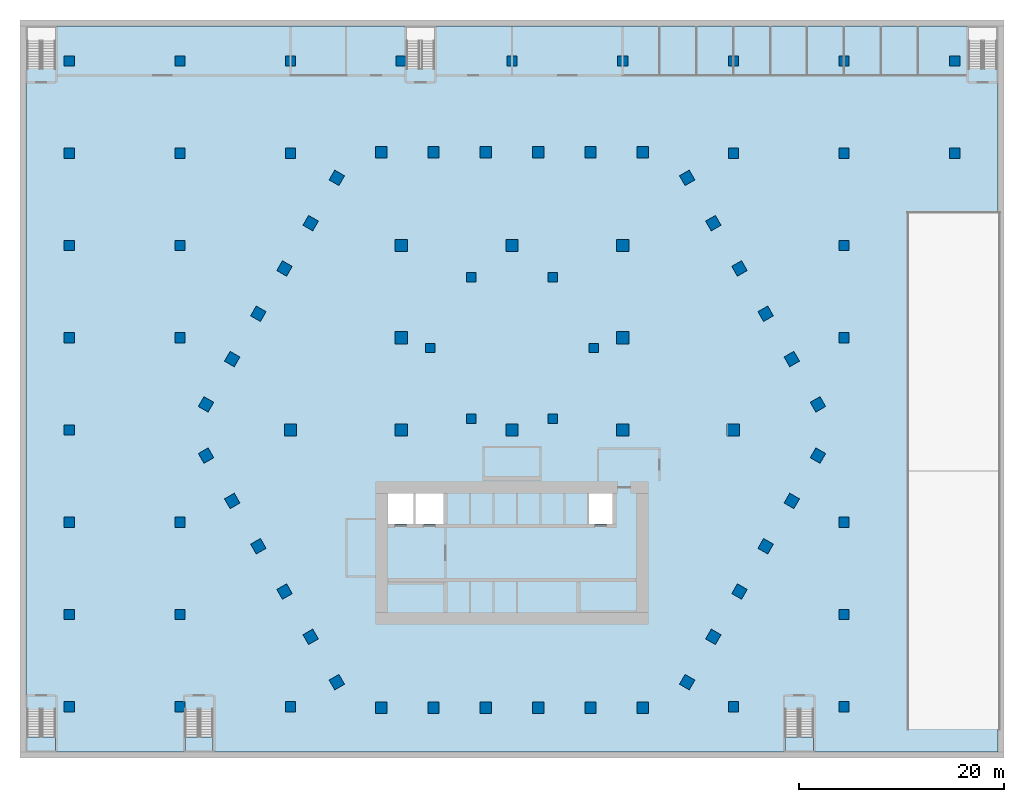
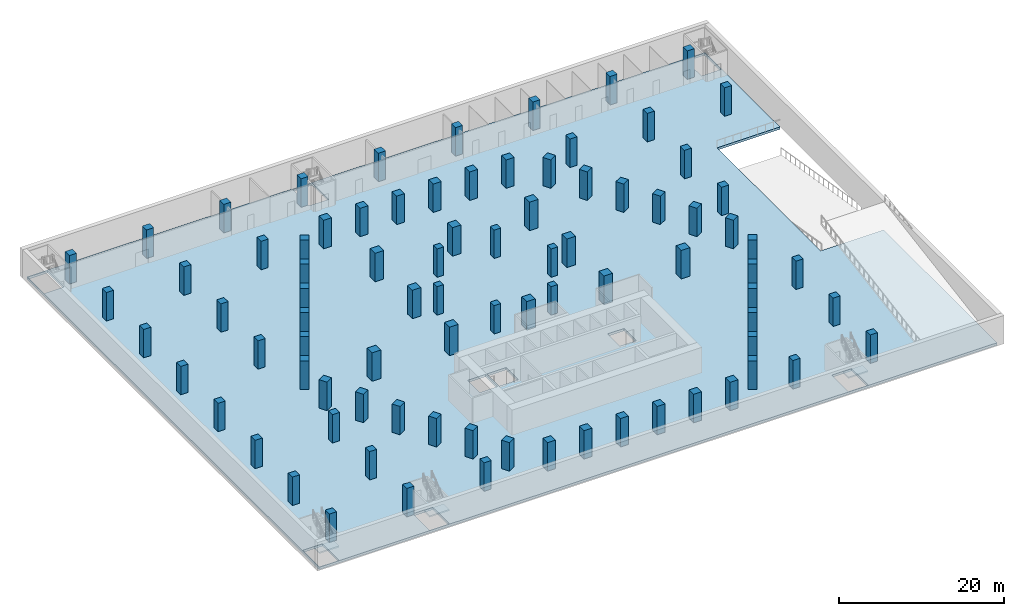
# One storey, part 1 of 20: 85 columns, 4 slabs, 3 elements without a shape of their own.
"""IFC4 building model written with IfcOpenShell, lengths in metres."""

import ifcopenshell
import ifcopenshell.guid

model = None  # the IFC model being written
_history = None  # IfcOwnerHistory: only IFC2X3 demands one
_inside = {}  # id of a spatial element -> (the spatial element, [elements in it])
_under = {}  # id of a project, library or spatial element -> (it, [spatial elements below it])
_declared = {}  # id of a project -> (the project, [libraries it declares])
_typed = {}  # id of a type object -> (the type object, [elements of that type])
_made_of = {}  # id of a material, layer set ... -> (it, [elements and type objects made of it])


def new_model(schema):
    """Start an empty IFC model of exactly this schema.

    Asked for "IFC4X3", IfcOpenShell would pick the latest addendum, in which some entities
    have other attributes; the version numbers below select the first issue.
    IFC2X3 requires an IfcOwnerHistory on every rooted entity: one is made here for all.
    """
    global model, _history
    if schema == "IFC4X3":
        model = ifcopenshell.file(schema_version=(4, 3, 0, 0))
    else:
        model = ifcopenshell.file(schema=schema)
    _inside.clear()
    _under.clear()
    _declared.clear()
    _typed.clear()
    _made_of.clear()
    _history = None
    if model.schema == "IFC2X3":
        org = make("IfcOrganization", Name="unknown")
        user = make(
            "IfcPersonAndOrganization",
            ThePerson=make("IfcPerson", FamilyName="unknown"),
            TheOrganization=org,
        )
        app = make(
            "IfcApplication",
            ApplicationDeveloper=org,
            Version="unknown",
            ApplicationFullName="unknown",
            ApplicationIdentifier="unknown",
        )
        _history = make(
            "IfcOwnerHistory",
            OwningUser=user,
            OwningApplication=app,
            ChangeAction="ADDED",
            CreationDate=0,
        )
    return model


def make(cls, **values):
    """One entity of the class cls with the attributes given. An attribute that is None is left unset."""
    return model.create_entity(
        cls, **{name: value for name, value in values.items() if value is not None}
    )


def rooted(cls, **values):
    """An entity with a GlobalId (a new one), such as an element, a storey or a relation."""
    return make(cls, GlobalId=ifcopenshell.guid.new(), OwnerHistory=_history, **values)


def si_unit(unit_type, name, prefix=None):
    """IfcSIUnit, for example si_unit("LENGTHUNIT", "METRE", prefix="MILLI")."""
    return make("IfcSIUnit", UnitType=unit_type, Prefix=prefix, Name=name)


def assignment(units):
    """IfcUnitAssignment: the units of a project."""
    return None if units is None else make("IfcUnitAssignment", Units=units)


def point(xyz):
    """IfcCartesianPoint."""
    return None if xyz is None else make("IfcCartesianPoint", Coordinates=xyz)


def direction(xyz):
    """IfcDirection."""
    return None if xyz is None else make("IfcDirection", DirectionRatios=xyz)


def frame(location, z_axis=None, x_axis=None):
    """IfcAxis2Placement3D, a coordinate frame: its origin and axes. An axis left out is left unset."""
    return make(
        "IfcAxis2Placement3D",
        Location=point(location),
        Axis=direction(z_axis),
        RefDirection=direction(x_axis),
    )


def frame_2d(location, x_axis=None):
    """IfcAxis2Placement2D, a coordinate frame in the plane: its origin and x axis."""
    return make(
        "IfcAxis2Placement2D", Location=point(location), RefDirection=direction(x_axis)
    )


def origin():
    """The frame at (0, 0, 0) with its axes left unset."""
    return frame((0.0, 0.0, 0.0))


def origin_2d():
    """The frame at (0, 0) in the plane with its x axis left unset."""
    return frame_2d((0.0, 0.0))


def place(relative_to, where):
    """IfcLocalPlacement: puts the frame where relative to a parent placement (None: the world)."""
    return make(
        "IfcLocalPlacement", PlacementRelTo=relative_to, RelativePlacement=where
    )


def context(
    kind, dimensions, precision=None, world=None, true_north=None, identifier=None
):
    """IfcGeometricRepresentationContext, for example the 3D "Model" context."""
    return make(
        "IfcGeometricRepresentationContext",
        ContextIdentifier=identifier,
        ContextType=kind,
        CoordinateSpaceDimension=dimensions,
        Precision=precision,
        WorldCoordinateSystem=world,
        TrueNorth=true_north,
    )


def subcontext(parent, identifier, kind, view, scale=None):
    """IfcGeometricRepresentationSubContext, for example "Body" below "Model"."""
    return make(
        "IfcGeometricRepresentationSubContext",
        ContextIdentifier=identifier,
        ContextType=kind,
        ParentContext=parent,
        TargetScale=scale,
        TargetView=view,
    )


def project(units=None, contexts=None):
    """IfcProject with its units and contexts."""
    return rooted(
        "IfcProject",
        Name="project",
        RepresentationContexts=contexts,
        UnitsInContext=assignment(units),
    )


def spatial(cls, under=None, at=None, **own):
    """A site, building, storey or space (cls), placed at a placement, below another one or the project."""
    s = rooted(cls, ObjectPlacement=at, **own)
    if under is not None:
        _under.setdefault(under.id(), (under, []))[1].append(s)
    return s


def polyline(points):
    """IfcPolyline through the points."""
    return make("IfcPolyline", Points=[point(p) for p in points])


def profile(cls, at=None, kind="AREA", **sizes):
    """A parametric profile (cls). Its sizes go by their IFC names, for example OverallWidth=200.0."""
    return make(cls, ProfileType=kind, Position=at, **sizes)


def rectangle(**sizes):
    """IfcRectangleProfileDef."""
    return profile("IfcRectangleProfileDef", **sizes)


def outline(outer, holes=None, kind="AREA"):
    """IfcArbitraryClosedProfileDef: a profile drawn as a closed curve; with holes, ...WithVoids."""
    if holes is None:
        return make("IfcArbitraryClosedProfileDef", ProfileType=kind, OuterCurve=outer)
    return make(
        "IfcArbitraryProfileDefWithVoids",
        ProfileType=kind,
        OuterCurve=outer,
        InnerCurves=holes,
    )


def extrude(swept, where, along, depth):
    """IfcExtrudedAreaSolid: the profile swept, set in the frame where, extruded along a direction by depth."""
    return make(
        "IfcExtrudedAreaSolid",
        SweptArea=swept,
        Position=where,
        ExtrudedDirection=direction(along),
        Depth=depth,
    )


def shape(context_of_items, identifier, shape_type, items):
    """IfcShapeRepresentation: the items that make up one representation, for example the "Body"."""
    return make(
        "IfcShapeRepresentation",
        ContextOfItems=context_of_items,
        RepresentationIdentifier=identifier,
        RepresentationType=shape_type,
        Items=items,
    )


def material(Name=None, Category=None):
    """IfcMaterial."""
    return make("IfcMaterial", Name=Name, Category=Category)


def layer(
    of_material, thickness, ventilated=None, Name=None, Category=None, Priority=None
):
    """IfcMaterialLayer: one layer of a wall or slab, of a material (None: an air gap)."""
    return make(
        "IfcMaterialLayer",
        Material=of_material,
        LayerThickness=thickness,
        IsVentilated=ventilated,
        Name=Name,
        Category=Category,
        Priority=Priority,
    )


def layer_set(layers, Name=None):
    """IfcMaterialLayerSet."""
    return make("IfcMaterialLayerSet", MaterialLayers=layers, LayerSetName=Name)


def material_profile(
    of_material, cross_section, Name=None, Category=None, Priority=None
):
    """IfcMaterialProfile: a cross section and its material."""
    return make(
        "IfcMaterialProfile",
        Name=Name,
        Material=of_material,
        Profile=cross_section,
        Priority=Priority,
        Category=Category,
    )


def profile_set(profiles, Name=None, composite=None):
    """IfcMaterialProfileSet."""
    return make(
        "IfcMaterialProfileSet",
        Name=Name,
        MaterialProfiles=profiles,
        CompositeProfile=composite,
    )


def made_of(thing, what):
    """Note that an element or type object is made of a material, layer set ...; save() writes the relation."""
    if what is not None:
        _made_of.setdefault(what.id(), (what, []))[1].append(thing)
    return thing


def type_object(cls, material=None, **own):
    """A type object (cls), such as IfcWallType, which elements share."""
    return made_of(rooted(cls, **own), material)


def element(
    cls,
    number,
    at=None,
    inside=None,
    cuts=None,
    type_object=None,
    material=None,
    context=None,
    identifier="Body",
    shape_type=None,
    held_by="IfcProductDefinitionShape",
    body=None,
    shapes=None,
    **own,
):
    """One element of the class cls, such as IfcWall. Its Tag is "e" and its number.

    at: its placement. inside: the storey or other place that contains it. cuts: it is an
    opening in that element (IfcRelVoidsElement). A single representation is given by context,
    identifier, shape_type and body (its items); several are given by shapes. held_by: the class
    of the entity that holds the representations. save() writes the other relations.
    """
    e = rooted(cls, Tag="e%d" % number, ObjectPlacement=at, **own)
    if body is not None:
        shapes = [shape(context, identifier, shape_type, body)]
    if shapes is not None:
        e.Representation = make(held_by, Representations=shapes)
    if inside is not None:
        _inside.setdefault(inside.id(), (inside, []))[1].append(e)
    if cuts is not None:
        rooted(
            "IfcRelVoidsElement", RelatingBuildingElement=cuts, RelatedOpeningElement=e
        )
    if type_object is not None:
        _typed.setdefault(type_object.id(), (type_object, []))[1].append(e)
    return made_of(e, material)


def aggregate(whole, parts):
    """IfcRelAggregates: a whole, such as a stair, and the parts it consists of."""
    return rooted("IfcRelAggregates", RelatingObject=whole, RelatedObjects=parts)


def save(model, path):
    """Write the relations noted so far, then the file.

    IfcRelAggregates (storeys below a building ...), IfcRelContainedInSpatialStructure (elements
    in a storey), IfcRelDefinesByType, IfcRelAssociatesMaterial and IfcRelDeclares: one each for
    every whole, place, type object, material and project.
    """
    for whole, parts in _under.values():
        aggregate(whole, parts)
    for where, things in _inside.values():
        rooted(
            "IfcRelContainedInSpatialStructure",
            RelatedElements=things,
            RelatingStructure=where,
        )
    for kind, things in _typed.values():
        rooted("IfcRelDefinesByType", RelatedObjects=things, RelatingType=kind)
    for what, things in _made_of.values():
        rooted("IfcRelAssociatesMaterial", RelatedObjects=things, RelatingMaterial=what)
    for by, libraries in _declared.values():
        rooted("IfcRelDeclares", RelatingContext=by, RelatedDefinitions=libraries)
    model.write(path)


model = new_model("IFC4")

# Units and contexts
model_context = context("Model", 3, precision=1e-05, world=origin(), true_north=direction((0.0, 1.0)))
body_context = subcontext(model_context, "Body", "Model", "MODEL_VIEW")
ifc_project = project(units=[si_unit("LENGTHUNIT", "METRE"), si_unit("AREAUNIT", "SQUARE_METRE"), si_unit("VOLUMEUNIT", "CUBIC_METRE"), si_unit("PLANEANGLEUNIT", "RADIAN"), si_unit("MASSUNIT", "GRAM", prefix="KILO")], contexts=[model_context])

# Site, building, storey
site_placement = place(None, origin())
site = spatial("IfcSite", under=ifc_project, at=site_placement, CompositionType="ELEMENT")
building_placement = place(site_placement, origin())
building = spatial("IfcBuilding", under=site, at=building_placement, Name="Beryl Residences", CompositionType="ELEMENT")
storey_placement = place(building_placement, frame((0.0, 0.0, -4.199951171875)))
storey = spatial("IfcBuildingStorey", under=building, at=storey_placement, Name="B1", CompositionType="ELEMENT", Elevation=-4.199951171875)

# Columns
ifc_material_1 = material(Name="Concrete C80/95", Category="concrete")
ifc_material_profile_1 = material_profile(ifc_material_1, rectangle(XDim=1.10009765625, YDim=1.10009765625, at=origin_2d()))
ifc_profile_set_1 = profile_set([ifc_material_profile_1], Name="Concrete C80/95")
column_type_1 = type_object("IfcColumnType", Name="C1 tube column 1100 x 1100 C80/95", PredefinedType="COLUMN", material=ifc_profile_set_1)
for number, where, z_axis, x_axis, name in (
    (1, (12.759033203125, 27.10009765625, 0.0), (0.0, 0.0, 1.0), (-1.0, 0.0, 0.0), "C1-N1 B1"),
    (2, (7.655029296875, 27.10009765625, 0.0), (0.0, 0.0, 1.0), (-1.0, 0.0, 0.0), "C1-N2 B1"),
    (3, (2.551025390625, 27.10009765625, 0.0), (0.0, 0.0, 1.0), (-1.0, 0.0, 0.0), "C1-N3 B1"),
    (4, (-2.552978515625, 27.10009765625, 0.0), (0.0, 0.0, 1.0), (-1.0, 0.0, 0.0), "C1-N4 B1"),
    (5, (-7.656982421875, 27.10009765625, 0.0), (0.0, 0.0, 1.0), (-1.0, 0.0, 0.0), "C1-N5 B1"),
    (6, (-12.760986328125, 27.10009765625, 0.0), (0.0, 0.0, 1.0), (-1.0, 0.0, 0.0), "C1-N6 B1"),
    (7, (-17.090087890625, 24.60009765625, 0.0), (0.0, 0.0, 1.0), (-0.499984884929, -0.866034130299, 0.0), "C1-NW1 B1"),
    (8, (-19.64208984375, 20.179931640625, 0.0), (0.0, 0.0, 1.0), (-0.499984884929, -0.866034130299, 0.0), "C1-NW2 B1"),
    (9, (-22.194091796875, 15.759033203125, 0.0), (0.0, 0.0, 1.0), (-0.499984884929, -0.866034130299, 0.0), "C1-NW3 B1"),
    (10, (-24.74609375, 11.339111328125, 0.0), (0.0, 0.0, 1.0), (-0.499984884929, -0.866034130299, 0.0), "C1-NW4 B1"),
    (11, (-27.298095703125, 6.9189453125, 0.0), (0.0, 0.0, 1.0), (-0.499984884929, -0.866034130299, 0.0), "C1-NW5 B1"),
    (12, (-29.84912109375, 2.4990234375, 0.0), (0.0, 0.0, 1.0), (-0.499984884929, -0.866034130299, 0.0), "C1-NW6 B1"),
    (13, (-29.847900390625, -2.5, 0.0), (0.0, 0.0, 1.0), (0.499984884929, -0.866034130299, 0.0), "C1-SW1 B1"),
    (14, (-27.297119140625, -6.9208984375, 0.0), (0.0, 0.0, 1.0), (0.499984884929, -0.866034130299, 0.0), "C1-SW2 B1"),
    (15, (-24.7451171875, -11.341064453125, 0.0), (0.0, 0.0, 1.0), (0.499984884929, -0.866034130299, 0.0), "C1-SW3 B1"),
    (16, (-22.193115234375, -15.760986328125, 0.0), (0.0, 0.0, 1.0), (0.499984884929, -0.866034130299, 0.0), "C1-SW4 B1"),
    (17, (-19.64111328125, -20.180908203125, 0.0), (0.0, 0.0, 1.0), (0.499984884929, -0.866034130299, 0.0), "C1-SW5 B1"),
    (18, (-17.089111328125, -24.60107421875, 0.0), (0.0, 0.0, 1.0), (0.499984884929, -0.866034130299, 0.0), "C1-SW6 B1"),
    (19, (-12.759033203125, -27.10009765625, 0.0), (0.0, 0.0, 1.0), (1.0, 0.0, 0.0), "C1-S1 B1"),
    (20, (-7.655029296875, -27.10009765625, 0.0), (0.0, 0.0, 1.0), (1.0, 0.0, 0.0), "C1-S2 B1"),
    (21, (-2.551025390625, -27.10009765625, 0.0), (0.0, 0.0, 1.0), (1.0, 0.0, 0.0), "C1-S3 B1"),
    (22, (2.552978515625, -27.10009765625, 0.0), (0.0, 0.0, 1.0), (1.0, 0.0, 0.0), "C1-S4 B1"),
    (23, (7.656982421875, -27.10009765625, 0.0), (0.0, 0.0, 1.0), (1.0, 0.0, 0.0), "C1-S5 B1"),
    (24, (12.760986328125, -27.10009765625, 0.0), (0.0, 0.0, 1.0), (1.0, 0.0, 0.0), "C1-S6 B1"),
    (25, (17.090087890625, -24.60009765625, 0.0), (0.0, 0.0, 1.0), (0.499984884929, 0.866034130299, 0.0), "C1-SE1 B1"),
    (26, (19.64208984375, -20.179931640625, 0.0), (0.0, 0.0, 1.0), (0.499984884929, 0.866034130299, 0.0), "C1-SE2 B1"),
    (27, (22.194091796875, -15.759033203125, 0.0), (0.0, 0.0, 1.0), (0.499984884929, 0.866034130299, 0.0), "C1-SE3 B1"),
    (28, (24.74609375, -11.339111328125, 0.0), (0.0, 0.0, 1.0), (0.499984884929, 0.866034130299, 0.0), "C1-SE4 B1"),
    (29, (27.298095703125, -6.9189453125, 0.0), (0.0, 0.0, 1.0), (0.499984884929, 0.866034130299, 0.0), "C1-SE5 B1"),
    (30, (29.84912109375, -2.4990234375, 0.0), (0.0, 0.0, 1.0), (0.499984884929, 0.866034130299, 0.0), "C1-SE6 B1"),
    (31, (29.847900390625, 2.5, 0.0), (0.0, 0.0, 1.0), (-0.499984884929, 0.866034130299, 0.0), "C1-NE1 B1"),
    (32, (27.297119140625, 6.9208984375, 0.0), (0.0, 0.0, 1.0), (-0.499984884929, 0.866034130299, 0.0), "C1-NE2 B1"),
    (33, (24.7451171875, 11.341064453125, 0.0), (0.0, 0.0, 1.0), (-0.499984884929, 0.866034130299, 0.0), "C1-NE3 B1"),
    (34, (22.193115234375, 15.760986328125, 0.0), (0.0, 0.0, 1.0), (-0.499984884929, 0.866034130299, 0.0), "C1-NE4 B1"),
    (35, (19.64111328125, 20.180908203125, 0.0), (0.0, 0.0, 1.0), (-0.499984884929, 0.866034130299, 0.0), "C1-NE5 B1"),
    (36, (17.089111328125, 24.60107421875, 0.0), (0.0, 0.0, 1.0), (-0.499984884929, 0.866034130299, 0.0), "C1-NE6 B1"),
):
    element("IfcColumn", number, at=place(storey_placement, frame(where, z_axis=z_axis, x_axis=x_axis)), inside=storey, type_object=column_type_1, Name=name, PredefinedType="COLUMN", context=body_context, shape_type="SweptSolid", body=[
        extrude(rectangle(XDim=1.10009765625, YDim=1.10009765625, at=origin_2d()), origin(), (0.0, 0.0, 1.0), 4.199951171875),
    ])
ifc_material_2 = material(Name="Concrete C80/95", Category="concrete")
ifc_material_profile_2 = material_profile(ifc_material_2, rectangle(XDim=0.89990234375, YDim=0.89990234375, at=origin_2d()))
ifc_profile_set_2 = profile_set([ifc_material_profile_2], Name="Concrete C80/95")
column_type_2 = type_object("IfcColumnType", Name="IC1 interior column 900 x 900 C80/95", PredefinedType="COLUMN", material=ifc_profile_set_2)
for number, where, z_axis, x_axis, name in (
    (37, (3.98388671875, 1.10009765625, 0.0), (0.0, 0.0, 1.0), (1.0, 0.0, 0.0), "IC1-A07 B1"),
    (38, (7.967041015625, 8.0, 0.0), (0.0, 0.0, 1.0), (1.0, 0.0, 0.0), "IC1-A10 B1"),
    (39, (3.98388671875, 14.89990234375, 0.0), (0.0, 0.0, 1.0), (1.0, 0.0, 0.0), "IC1-A13 B1"),
    (40, (-3.98388671875, 14.89990234375, 0.0), (0.0, 0.0, 1.0), (1.0, 0.0, 0.0), "IC1-A16 B1"),
    (41, (-7.967041015625, 8.0, 0.0), (0.0, 0.0, 1.0), (1.0, 0.0, 0.0), "IC1-A19 B1"),
    (42, (-3.98388671875, 1.10009765625, 0.0), (0.0, 0.0, 1.0), (1.0, 0.0, 0.0), "IC1-A22 B1"),
):
    element("IfcColumn", number, at=place(storey_placement, frame(where, z_axis=z_axis, x_axis=x_axis)), inside=storey, type_object=column_type_2, Name=name, PredefinedType="COLUMN", context=body_context, shape_type="SweptSolid", body=[
        extrude(rectangle(XDim=0.89990234375, YDim=0.89990234375, at=origin_2d()), origin(), (0.0, 0.0, 1.0), 4.199951171875),
    ])
ifc_material_3 = material(Name="Concrete C80/95", Category="concrete")
ifc_material_profile_3 = material_profile(ifc_material_3, rectangle(XDim=1.199951171875, YDim=1.199951171875, at=origin_2d()))
ifc_profile_set_3 = profile_set([ifc_material_profile_3], Name="Concrete C80/95")
column_type_3 = type_object("IfcColumnType", Name="IG1 grid column 1200 x 1200 C80/95", PredefinedType="COLUMN", material=ifc_profile_set_3)
for number, where, z_axis, x_axis, name in (
    (43, (-21.60009765625, 0.0, 0.0), (0.0, 0.0, 1.0), (1.0, 0.0, 0.0), "IG-3D B1"),
    (44, (-10.800048828125, 0.0, 0.0), (0.0, 0.0, 1.0), (1.0, 0.0, 0.0), "IG-4D B1"),
    (45, (-10.800048828125, 9.0, 0.0), (0.0, 0.0, 1.0), (1.0, 0.0, 0.0), "IG-4E B1"),
    (46, (-10.800048828125, 18.0, 0.0), (0.0, 0.0, 1.0), (1.0, 0.0, 0.0), "IG-4F B1"),
    (47, (0.0, 0.0, 0.0), (0.0, 0.0, 1.0), (1.0, 0.0, 0.0), "IG-5D B1"),
    (48, (0.0, 18.0, 0.0), (0.0, 0.0, 1.0), (1.0, 0.0, 0.0), "IG-5F B1"),
    (49, (10.800048828125, 0.0, 0.0), (0.0, 0.0, 1.0), (1.0, 0.0, 0.0), "IG-6D B1"),
    (50, (10.800048828125, 9.0, 0.0), (0.0, 0.0, 1.0), (1.0, 0.0, 0.0), "IG-6E B1"),
    (51, (10.800048828125, 18.0, 0.0), (0.0, 0.0, 1.0), (1.0, 0.0, 0.0), "IG-6F B1"),
    (52, (21.60009765625, 0.0, 0.0), (0.0, 0.0, 1.0), (1.0, 0.0, 0.0), "IG-7D B1"),
):
    element("IfcColumn", number, at=place(storey_placement, frame(where, z_axis=z_axis, x_axis=x_axis)), inside=storey, type_object=column_type_3, Name=name, PredefinedType="COLUMN", context=body_context, shape_type="SweptSolid", body=[
        extrude(rectangle(XDim=1.199951171875, YDim=1.199951171875, at=origin_2d()), origin(), (0.0, 0.0, 1.0), 4.199951171875),
    ])
ifc_material_4 = material(Name="Concrete C50/60", Category="concrete")
ifc_material_profile_4 = material_profile(ifc_material_4, rectangle(XDim=1.0, YDim=1.0, at=origin_2d()))
ifc_profile_set_4 = profile_set([ifc_material_profile_4], Name="Concrete C50/60")
column_type_4 = type_object("IfcColumnType", Name="PCL1 podium column 1000 x 1000 C50/60", PredefinedType="COLUMN", material=ifc_profile_set_4)
for number, where, z_axis, x_axis, name in (
    (53, (-43.199951171875, -27.0, 0.0), (0.0, 0.0, 1.0), (1.0, 0.0, 0.0), "PCL-1A B1"),
    (54, (-43.199951171875, -18.0, 0.0), (0.0, 0.0, 1.0), (1.0, 0.0, 0.0), "PCL-1B B1"),
    (55, (-43.199951171875, -9.0, 0.0), (0.0, 0.0, 1.0), (1.0, 0.0, 0.0), "PCL-1C B1"),
    (56, (-43.199951171875, 0.0, 0.0), (0.0, 0.0, 1.0), (1.0, 0.0, 0.0), "PCL-1D B1"),
    (57, (-43.199951171875, 9.0, 0.0), (0.0, 0.0, 1.0), (1.0, 0.0, 0.0), "PCL-1E B1"),
    (58, (-43.199951171875, 18.0, 0.0), (0.0, 0.0, 1.0), (1.0, 0.0, 0.0), "PCL-1F B1"),
    (59, (-43.199951171875, 27.0, 0.0), (0.0, 0.0, 1.0), (1.0, 0.0, 0.0), "PCL-1G B1"),
    (60, (-43.199951171875, 36.0, 0.0), (0.0, 0.0, 1.0), (1.0, 0.0, 0.0), "PCL-1H B1"),
    (61, (-32.39990234375, -27.0, 0.0), (0.0, 0.0, 1.0), (1.0, 0.0, 0.0), "PCL-2A B1"),
    (62, (-32.39990234375, -18.0, 0.0), (0.0, 0.0, 1.0), (1.0, 0.0, 0.0), "PCL-2B B1"),
    (63, (-32.39990234375, -9.0, 0.0), (0.0, 0.0, 1.0), (1.0, 0.0, 0.0), "PCL-2C B1"),
    (64, (-32.39990234375, 9.0, 0.0), (0.0, 0.0, 1.0), (1.0, 0.0, 0.0), "PCL-2E B1"),
    (65, (-32.39990234375, 18.0, 0.0), (0.0, 0.0, 1.0), (1.0, 0.0, 0.0), "PCL-2F B1"),
    (66, (-32.39990234375, 27.0, 0.0), (0.0, 0.0, 1.0), (1.0, 0.0, 0.0), "PCL-2G B1"),
    (67, (-32.39990234375, 36.0, 0.0), (0.0, 0.0, 1.0), (1.0, 0.0, 0.0), "PCL-2H B1"),
    (68, (-21.60009765625, -27.0, 0.0), (0.0, 0.0, 1.0), (1.0, 0.0, 0.0), "PCL-3A B1"),
    (69, (-21.60009765625, 27.0, 0.0), (0.0, 0.0, 1.0), (1.0, 0.0, 0.0), "PCL-3G B1"),
    (70, (-21.60009765625, 36.0, 0.0), (0.0, 0.0, 1.0), (1.0, 0.0, 0.0), "PCL-3H B1"),
    (71, (-10.800048828125, 36.0, 0.0), (0.0, 0.0, 1.0), (1.0, 0.0, 0.0), "PCL-4H B1"),
    (72, (0.0, 36.0, 0.0), (0.0, 0.0, 1.0), (1.0, 0.0, 0.0), "PCL-5H B1"),
    (73, (10.800048828125, 36.0, 0.0), (0.0, 0.0, 1.0), (1.0, 0.0, 0.0), "PCL-6H B1"),
    (74, (21.60009765625, -27.0, 0.0), (0.0, 0.0, 1.0), (1.0, 0.0, 0.0), "PCL-7A B1"),
    (75, (21.60009765625, 27.0, 0.0), (0.0, 0.0, 1.0), (1.0, 0.0, 0.0), "PCL-7G B1"),
    (76, (21.60009765625, 36.0, 0.0), (0.0, 0.0, 1.0), (1.0, 0.0, 0.0), "PCL-7H B1"),
    (77, (32.39990234375, -27.0, 0.0), (0.0, 0.0, 1.0), (1.0, 0.0, 0.0), "PCL-8A B1"),
    (78, (32.39990234375, -18.0, 0.0), (0.0, 0.0, 1.0), (1.0, 0.0, 0.0), "PCL-8B B1"),
    (79, (32.39990234375, -9.0, 0.0), (0.0, 0.0, 1.0), (1.0, 0.0, 0.0), "PCL-8C B1"),
    (80, (32.39990234375, 9.0, 0.0), (0.0, 0.0, 1.0), (1.0, 0.0, 0.0), "PCL-8E B1"),
    (81, (32.39990234375, 18.0, 0.0), (0.0, 0.0, 1.0), (1.0, 0.0, 0.0), "PCL-8F B1"),
    (82, (32.39990234375, 27.0, 0.0), (0.0, 0.0, 1.0), (1.0, 0.0, 0.0), "PCL-8G B1"),
    (83, (32.39990234375, 36.0, 0.0), (0.0, 0.0, 1.0), (1.0, 0.0, 0.0), "PCL-8H B1"),
    (84, (43.199951171875, 27.0, 0.0), (0.0, 0.0, 1.0), (1.0, 0.0, 0.0), "PCL-9G B1"),
    (85, (43.199951171875, 36.0, 0.0), (0.0, 0.0, 1.0), (1.0, 0.0, 0.0), "PCL-9H B1"),
):
    element("IfcColumn", number, at=place(storey_placement, frame(where, z_axis=z_axis, x_axis=x_axis)), inside=storey, type_object=column_type_4, Name=name, PredefinedType="COLUMN", context=body_context, shape_type="SweptSolid", body=[
        extrude(rectangle(XDim=1.0, YDim=1.0, at=origin_2d()), origin(), (0.0, 0.0, 1.0), 4.199951171875),
    ])

# Slab
ifc_material_5 = material(Name="Concrete C40/50", Category="concrete")
ifc_layer_1 = layer(ifc_material_5, 0.35009765625)
ifc_layer_set_1 = layer_set([ifc_layer_1], Name="SL1 basement slab 350 mm C40/50")
slab_type_1 = type_object("IfcSlabType", Name="SL1 basement slab 350 mm C40/50", PredefinedType="BASESLAB", material=ifc_layer_set_1)
slab_1_placement = place(storey_placement, frame((0.0, 0.0, -0.35009765625)))
element("IfcSlab", 86, at=slab_1_placement, inside=storey, type_object=slab_type_1, Name="B1 slab 1", PredefinedType="BASESLAB", context=body_context, shape_type="SweptSolid", body=[
    extrude(outline(polyline([(47.39990234375, 39.39990234375), (47.39990234375, 21.199951171875), (38.60009765625, 21.199951171875), (38.60009765625, -3.89990234375), (47.39990234375, -3.89990234375), (47.39990234375, -31.39990234375), (-47.39990234375, -31.39990234375), (-47.39990234375, 39.39990234375), (47.39990234375, 39.39990234375)]), holes=[polyline([(44.550048828125, 35.300048828125), (47.300048828125, 35.300048828125), (47.300048828125, 39.300048828125), (44.550048828125, 39.300048828125), (44.550048828125, 35.300048828125)]), polyline([(43.699951171875, 27.5), (42.699951171875, 27.5), (42.699951171875, 26.5), (43.699951171875, 26.5), (43.699951171875, 27.5)]), polyline([(42.699951171875, 36.5), (42.699951171875, 35.5), (43.699951171875, 35.5), (43.699951171875, 36.5), (42.699951171875, 36.5)]), polyline([(31.89990234375, 18.5), (31.89990234375, 17.5), (32.89990234375, 17.5), (32.89990234375, 18.5), (31.89990234375, 18.5)]), polyline([(31.89990234375, -17.5), (31.89990234375, -18.5), (32.89990234375, -18.5), (32.89990234375, -17.5), (31.89990234375, -17.5)]), polyline([(31.89990234375, 26.5), (32.89990234375, 26.5), (32.89990234375, 27.5), (31.89990234375, 27.5), (31.89990234375, 26.5)]), polyline([(31.89990234375, 36.5), (31.89990234375, 35.5), (32.89990234375, 35.5), (32.89990234375, 36.5), (31.89990234375, 36.5)]), polyline([(32.89990234375, -26.5), (31.89990234375, -26.5), (31.89990234375, -27.5), (32.89990234375, -27.5), (32.89990234375, -26.5)]), polyline([(32.89990234375, -8.5), (31.89990234375, -8.5), (31.89990234375, -9.5), (32.89990234375, -9.5), (32.89990234375, -8.5)]), polyline([(32.89990234375, 9.5), (31.89990234375, 9.5), (31.89990234375, 8.5), (32.89990234375, 8.5), (32.89990234375, 9.5)]), polyline([(29.097900390625, -2.699951171875), (30.050048828125, -3.25), (30.60009765625, -2.298095703125), (29.64794921875, -1.748046875), (29.097900390625, -2.699951171875)]), polyline([(29.64697265625, 1.7490234375), (30.59912109375, 2.299072265625), (30.049072265625, 3.2509765625), (29.096923828125, 2.700927734375), (29.64697265625, 1.7490234375)]), polyline([(26.64990234375, -27.300048828125), (26.64990234375, -31.300048828125), (29.39990234375, -31.300048828125), (29.39990234375, -27.300048828125), (26.64990234375, -27.300048828125)]), polyline([(26.547119140625, -7.1201171875), (27.4990234375, -7.669921875), (28.049072265625, -6.718017578125), (27.096923828125, -6.16796875), (26.547119140625, -7.1201171875)]), polyline([(27.095947265625, 6.169921875), (28.048095703125, 6.719970703125), (27.498046875, 7.672119140625), (26.5458984375, 7.1220703125), (27.095947265625, 6.169921875)]), polyline([(23.9951171875, -11.5400390625), (24.947021484375, -12.090087890625), (25.4970703125, -11.137939453125), (24.544921875, -10.587890625), (23.9951171875, -11.5400390625)]), polyline([(24.5439453125, 10.590087890625), (25.49609375, 11.139892578125), (24.946044921875, 12.092041015625), (23.993896484375, 11.5419921875), (24.5439453125, 10.590087890625)]), polyline([(22.39501953125, -16.510009765625), (22.945068359375, -15.55810546875), (21.992919921875, -15.008056640625), (21.443115234375, -15.9599609375), (22.39501953125, -16.510009765625)]), polyline([(21.991943359375, 15.010009765625), (22.944091796875, 15.56005859375), (22.39404296875, 16.511962890625), (21.44189453125, 15.9619140625), (21.991943359375, 15.010009765625)]), polyline([(22.199951171875, 0.60009765625), (21.0, 0.60009765625), (21.0, -0.60009765625), (22.199951171875, -0.60009765625), (22.199951171875, 0.60009765625)]), polyline([(22.10009765625, 36.5), (21.10009765625, 36.5), (21.10009765625, 35.5), (22.10009765625, 35.5), (22.10009765625, 36.5)]), polyline([(22.10009765625, 27.5), (21.10009765625, 27.5), (21.10009765625, 26.5), (22.10009765625, 26.5), (22.10009765625, 27.5)]), polyline([(21.10009765625, -27.5), (22.10009765625, -27.5), (22.10009765625, -26.5), (21.10009765625, -26.5), (21.10009765625, -27.5)]), polyline([(19.44091796875, -19.428955078125), (18.89111328125, -20.381103515625), (19.843017578125, -20.930908203125), (20.39306640625, -19.97900390625), (19.44091796875, -19.428955078125)]), polyline([(19.43994140625, 19.429931640625), (20.39208984375, 19.97998046875), (19.842041015625, 20.931884765625), (18.889892578125, 20.382080078125), (19.43994140625, 19.429931640625)]), polyline([(16.339111328125, -24.801025390625), (17.291015625, -25.35107421875), (17.841064453125, -24.39892578125), (16.888916015625, -23.84912109375), (16.339111328125, -24.801025390625)]), polyline([(16.887939453125, 23.85009765625), (17.840087890625, 24.39990234375), (17.2900390625, 25.35205078125), (16.337890625, 24.802001953125), (16.887939453125, 23.85009765625)]), polyline([(12.2109375, -26.550048828125), (12.2109375, -27.64990234375), (13.31103515625, -27.64990234375), (13.31103515625, -26.550048828125), (12.2109375, -26.550048828125)]), polyline([(13.30908203125, 26.550048828125), (13.30908203125, 27.64990234375), (12.208984375, 27.64990234375), (12.208984375, 26.550048828125), (13.30908203125, 26.550048828125)]), polyline([(10.199951171875, 9.60009765625), (10.199951171875, 8.39990234375), (11.39990234375, 8.39990234375), (11.39990234375, 9.60009765625), (10.199951171875, 9.60009765625)]), polyline([(10.199951171875, 0.60009765625), (10.199951171875, -0.60009765625), (11.39990234375, -0.60009765625), (11.39990234375, 0.60009765625), (10.199951171875, 0.60009765625)]), polyline([(10.199951171875, 17.39990234375), (11.39990234375, 17.39990234375), (11.39990234375, 18.60009765625), (10.199951171875, 18.60009765625), (10.199951171875, 17.39990234375)]), polyline([(11.300048828125, 36.5), (10.300048828125, 36.5), (10.300048828125, 35.5), (11.300048828125, 35.5), (11.300048828125, 36.5)]), polyline([(9.800048828125, -9.14990234375), (9.800048828125, -6.199951171875), (7.5, -6.199951171875), (7.5, -9.14990234375), (9.800048828125, -9.14990234375)]), polyline([(7.51708984375, 8.449951171875), (7.51708984375, 7.550048828125), (8.4169921875, 7.550048828125), (8.4169921875, 8.449951171875), (7.51708984375, 8.449951171875)]), polyline([(8.20703125, -26.550048828125), (7.10693359375, -26.550048828125), (7.10693359375, -27.64990234375), (8.20703125, -27.64990234375), (8.20703125, -26.550048828125)]), polyline([(8.205078125, 26.550048828125), (8.205078125, 27.64990234375), (7.10498046875, 27.64990234375), (7.10498046875, 26.550048828125), (8.205078125, 26.550048828125)]), polyline([(4.43408203125, 15.35009765625), (3.533935546875, 15.35009765625), (3.533935546875, 14.449951171875), (4.43408203125, 14.449951171875), (4.43408203125, 15.35009765625)]), polyline([(4.43408203125, 1.550048828125), (3.533935546875, 1.550048828125), (3.533935546875, 0.64990234375), (4.43408203125, 0.64990234375), (4.43408203125, 1.550048828125)]), polyline([(3.10302734375, -26.550048828125), (2.0029296875, -26.550048828125), (2.0029296875, -27.64990234375), (3.10302734375, -27.64990234375), (3.10302734375, -26.550048828125)]), polyline([(2.0009765625, 26.550048828125), (3.10107421875, 26.550048828125), (3.10107421875, 27.64990234375), (2.0009765625, 27.64990234375), (2.0009765625, 26.550048828125)]), polyline([(0.60009765625, 18.60009765625), (-0.60009765625, 18.60009765625), (-0.60009765625, 17.39990234375), (0.60009765625, 17.39990234375), (0.60009765625, 18.60009765625)]), polyline([(-0.60009765625, 0.60009765625), (-0.60009765625, -0.60009765625), (0.60009765625, -0.60009765625), (0.60009765625, 0.60009765625), (-0.60009765625, 0.60009765625)]), polyline([(-0.5, 36.5), (-0.5, 35.5), (0.5, 35.5), (0.5, 36.5), (-0.5, 36.5)]), polyline([(-3.10107421875, -27.64990234375), (-2.0009765625, -27.64990234375), (-2.0009765625, -26.550048828125), (-3.10107421875, -26.550048828125), (-3.10107421875, -27.64990234375)]), polyline([(-3.10302734375, 26.550048828125), (-2.0029296875, 26.550048828125), (-2.0029296875, 27.64990234375), (-3.10302734375, 27.64990234375), (-3.10302734375, 26.550048828125)]), polyline([(-4.43408203125, 15.35009765625), (-4.43408203125, 14.449951171875), (-3.533935546875, 14.449951171875), (-3.533935546875, 15.35009765625), (-4.43408203125, 15.35009765625)]), polyline([(-4.43408203125, 1.550048828125), (-4.43408203125, 0.64990234375), (-3.533935546875, 0.64990234375), (-3.533935546875, 1.550048828125), (-4.43408203125, 1.550048828125)]), polyline([(-6.699951171875, -9.14990234375), (-6.699951171875, -6.199951171875), (-9.39990234375, -6.199951171875), (-9.39990234375, -9.14990234375), (-6.699951171875, -9.14990234375)]), polyline([(-8.205078125, -26.550048828125), (-8.205078125, -27.64990234375), (-7.10498046875, -27.64990234375), (-7.10498046875, -26.550048828125), (-8.205078125, -26.550048828125)]), polyline([(-7.10693359375, 27.64990234375), (-8.20703125, 27.64990234375), (-8.20703125, 26.550048828125), (-7.10693359375, 26.550048828125), (-7.10693359375, 27.64990234375)]), polyline([(-8.4169921875, 8.449951171875), (-8.4169921875, 7.550048828125), (-7.51708984375, 7.550048828125), (-7.51708984375, 8.449951171875), (-8.4169921875, 8.449951171875)]), polyline([(-11.300048828125, 36.5), (-11.300048828125, 35.5), (-10.300048828125, 35.5), (-10.300048828125, 35.300048828125), (-7.550048828125, 35.300048828125), (-7.550048828125, 39.300048828125), (-10.300048828125, 39.300048828125), (-10.300048828125, 36.5), (-11.300048828125, 36.5)]), polyline([(-9.60009765625, -6.199951171875), (-12.10009765625, -6.199951171875), (-12.10009765625, -9.14990234375), (-9.60009765625, -9.14990234375), (-9.60009765625, -6.199951171875)]), polyline([(-11.39990234375, 0.60009765625), (-11.39990234375, -0.60009765625), (-10.199951171875, -0.60009765625), (-10.199951171875, 0.60009765625), (-11.39990234375, 0.60009765625)]), polyline([(-11.39990234375, 9.60009765625), (-11.39990234375, 8.39990234375), (-10.199951171875, 8.39990234375), (-10.199951171875, 9.60009765625), (-11.39990234375, 9.60009765625)]), polyline([(-11.39990234375, 18.60009765625), (-11.39990234375, 17.39990234375), (-10.199951171875, 17.39990234375), (-10.199951171875, 18.60009765625), (-11.39990234375, 18.60009765625)]), polyline([(-13.30908203125, -26.550048828125), (-13.30908203125, -27.64990234375), (-12.208984375, -27.64990234375), (-12.208984375, -26.550048828125), (-13.30908203125, -26.550048828125)]), polyline([(-12.2109375, 26.550048828125), (-12.2109375, 27.64990234375), (-13.31103515625, 27.64990234375), (-13.31103515625, 26.550048828125), (-12.2109375, 26.550048828125)]), polyline([(-16.337890625, -24.802001953125), (-16.887939453125, -23.85009765625), (-17.840087890625, -24.39990234375), (-17.2900390625, -25.35205078125), (-16.337890625, -24.802001953125)]), polyline([(-17.291015625, 25.35107421875), (-17.841064453125, 24.39892578125), (-16.888916015625, 23.84912109375), (-16.339111328125, 24.801025390625), (-17.291015625, 25.35107421875)]), polyline([(-18.889892578125, -20.382080078125), (-19.43994140625, -19.429931640625), (-20.39208984375, -19.97998046875), (-19.842041015625, -20.931884765625), (-18.889892578125, -20.382080078125)]), polyline([(-18.89111328125, 20.381103515625), (-19.843017578125, 20.930908203125), (-20.39306640625, 19.97900390625), (-19.44091796875, 19.428955078125), (-18.89111328125, 20.381103515625)]), polyline([(-21.0, 0.60009765625), (-22.199951171875, 0.60009765625), (-22.199951171875, -0.60009765625), (-21.0, -0.60009765625), (-21.0, 0.60009765625)]), polyline([(-21.10009765625, 27.5), (-22.10009765625, 27.5), (-22.10009765625, 26.5), (-21.10009765625, 26.5), (-21.10009765625, 27.5)]), polyline([(-22.10009765625, -27.5), (-21.10009765625, -27.5), (-21.10009765625, -26.5), (-22.10009765625, -26.5), (-22.10009765625, -27.5)]), polyline([(-22.10009765625, 36.5), (-22.10009765625, 35.5), (-21.10009765625, 35.5), (-21.10009765625, 36.5), (-22.10009765625, 36.5)]), polyline([(-22.944091796875, -15.56005859375), (-22.39404296875, -16.511962890625), (-21.44189453125, -15.9619140625), (-21.991943359375, -15.010009765625), (-22.944091796875, -15.56005859375)]), polyline([(-21.443115234375, 15.9599609375), (-22.39501953125, 16.510009765625), (-22.945068359375, 15.55810546875), (-21.992919921875, 15.008056640625), (-21.443115234375, 15.9599609375)]), polyline([(-24.5439453125, -10.590087890625), (-25.49609375, -11.139892578125), (-24.946044921875, -12.092041015625), (-23.993896484375, -11.5419921875), (-24.5439453125, -10.590087890625)]), polyline([(-23.9951171875, 11.5400390625), (-24.947021484375, 12.090087890625), (-25.4970703125, 11.137939453125), (-24.544921875, 10.587890625), (-23.9951171875, 11.5400390625)]), polyline([(-27.095947265625, -6.169921875), (-28.048095703125, -6.719970703125), (-27.498046875, -7.672119140625), (-26.5458984375, -7.1220703125), (-27.095947265625, -6.169921875)]), polyline([(-26.547119140625, 7.1201171875), (-27.4990234375, 7.669921875), (-28.049072265625, 6.718017578125), (-27.096923828125, 6.16796875), (-26.547119140625, 7.1201171875)]), polyline([(-29.64697265625, -1.7490234375), (-30.59912109375, -2.299072265625), (-30.049072265625, -3.2509765625), (-29.096923828125, -2.700927734375), (-29.64697265625, -1.7490234375)]), polyline([(-29.64794921875, 1.748046875), (-29.097900390625, 2.699951171875), (-30.050048828125, 3.25), (-30.60009765625, 2.298095703125), (-29.64794921875, 1.748046875)]), polyline([(-31.89990234375, -31.300048828125), (-29.14990234375, -31.300048828125), (-29.14990234375, -27.300048828125), (-31.89990234375, -27.300048828125), (-31.89990234375, -26.5), (-32.89990234375, -26.5), (-32.89990234375, -27.5), (-31.89990234375, -27.5), (-31.89990234375, -31.300048828125)]), polyline([(-32.89990234375, 36.5), (-32.89990234375, 35.5), (-31.89990234375, 35.5), (-31.89990234375, 36.5), (-32.89990234375, 36.5)]), polyline([(-32.89990234375, -17.5), (-32.89990234375, -18.5), (-31.89990234375, -18.5), (-31.89990234375, -17.5), (-32.89990234375, -17.5)]), polyline([(-32.89990234375, 18.5), (-32.89990234375, 17.5), (-31.89990234375, 17.5), (-31.89990234375, 18.5), (-32.89990234375, 18.5)]), polyline([(-32.89990234375, 26.5), (-31.89990234375, 26.5), (-31.89990234375, 27.5), (-32.89990234375, 27.5), (-32.89990234375, 26.5)]), polyline([(-31.89990234375, -8.5), (-32.89990234375, -8.5), (-32.89990234375, -9.5), (-31.89990234375, -9.5), (-31.89990234375, -8.5)]), polyline([(-31.89990234375, 9.5), (-32.89990234375, 9.5), (-32.89990234375, 8.5), (-31.89990234375, 8.5), (-31.89990234375, 9.5)]), polyline([(-42.699951171875, 27.5), (-43.699951171875, 27.5), (-43.699951171875, 26.5), (-42.699951171875, 26.5), (-42.699951171875, 27.5)]), polyline([(-43.699951171875, 36.5), (-43.699951171875, 35.5), (-42.699951171875, 35.5), (-42.699951171875, 36.5), (-43.699951171875, 36.5)]), polyline([(-43.699951171875, 18.5), (-43.699951171875, 17.5), (-42.699951171875, 17.5), (-42.699951171875, 18.5), (-43.699951171875, 18.5)]), polyline([(-43.699951171875, 9.5), (-43.699951171875, 8.5), (-42.699951171875, 8.5), (-42.699951171875, 9.5), (-43.699951171875, 9.5)]), polyline([(-43.699951171875, -0.5), (-42.699951171875, -0.5), (-42.699951171875, 0.5), (-43.699951171875, 0.5), (-43.699951171875, -0.5)]), polyline([(-43.699951171875, -8.5), (-43.699951171875, -9.5), (-42.699951171875, -9.5), (-42.699951171875, -8.5), (-43.699951171875, -8.5)]), polyline([(-43.699951171875, -17.5), (-43.699951171875, -18.5), (-42.699951171875, -18.5), (-42.699951171875, -17.5), (-43.699951171875, -17.5)]), polyline([(-43.699951171875, -27.5), (-42.699951171875, -27.5), (-42.699951171875, -26.5), (-43.699951171875, -26.5), (-43.699951171875, -27.5)]), polyline([(-44.550048828125, 39.300048828125), (-47.300048828125, 39.300048828125), (-47.300048828125, 35.300048828125), (-44.550048828125, 35.300048828125), (-44.550048828125, 39.300048828125)]), polyline([(-47.300048828125, -31.300048828125), (-44.550048828125, -31.300048828125), (-44.550048828125, -27.300048828125), (-47.300048828125, -27.300048828125), (-47.300048828125, -31.300048828125)])]), origin(), (0.0, 0.0, 1.0), 0.35009765625),
])

# Stair, slab
ifc_material_6 = material(Name="Concrete C40/50", Category="concrete")
stair_type = type_object("IfcStairType", Name="ST1 protected exit stair, half-turn, 1300 mm flights", PredefinedType="HALF_TURN_STAIR", material=ifc_material_6)
stair_1_placement = place(storey_placement, origin())
stair_1 = element("IfcStair", 87, at=stair_1_placement, inside=storey, type_object=stair_type, Name="B1 Basement exit stair 4", PredefinedType="HALF_TURN_STAIR")
ifc_material_7 = material(Name="Concrete C40/50", Category="concrete")
ifc_layer_2 = layer(ifc_material_7, 0.199951171875)
ifc_layer_set_2 = layer_set([ifc_layer_2], Name="SLD1 stair landing 200 mm")
slab_type_2 = type_object("IfcSlabType", Name="SLD1 stair landing 200 mm", PredefinedType="LANDING", material=ifc_layer_set_2)
slab_2_placement = place(storey_placement, frame((0.0, 0.0, 1.89990234375)))
slab_2 = element("IfcSlab", 88, at=slab_2_placement, type_object=slab_type_2, Name="BS-4 landing 1", PredefinedType="LANDING", context=body_context, shape_type="SweptSolid", body=[
    extrude(outline(polyline([(-47.300048828125, -29.949951171875), (-47.300048828125, -31.300048828125), (-44.550048828125, -31.300048828125), (-44.550048828125, -29.949951171875), (-47.300048828125, -29.949951171875)])), origin(), (0.0, 0.0, 1.0), 0.199951171875),
])
aggregate(stair_1, [slab_2])

stair_2_placement = place(storey_placement, origin())
stair_2 = element("IfcStair", 89, at=stair_2_placement, inside=storey, type_object=stair_type, Name="B1 Basement exit stair 5", PredefinedType="HALF_TURN_STAIR")
slab_3_placement = place(storey_placement, frame((0.0, 0.0, 1.89990234375)))
slab_3 = element("IfcSlab", 90, at=slab_3_placement, type_object=slab_type_2, Name="BS-5 landing 1", PredefinedType="LANDING", context=body_context, shape_type="SweptSolid", body=[
    extrude(outline(polyline([(-31.89990234375, -29.949951171875), (-31.89990234375, -31.300048828125), (-29.14990234375, -31.300048828125), (-29.14990234375, -29.949951171875), (-31.89990234375, -29.949951171875)])), origin(), (0.0, 0.0, 1.0), 0.199951171875),
])
aggregate(stair_2, [slab_3])

stair_3_placement = place(storey_placement, origin())
stair_3 = element("IfcStair", 91, at=stair_3_placement, inside=storey, type_object=stair_type, Name="B1 Basement exit stair 6", PredefinedType="HALF_TURN_STAIR")
slab_4_placement = place(storey_placement, frame((0.0, 0.0, 1.89990234375)))
slab_4 = element("IfcSlab", 92, at=slab_4_placement, type_object=slab_type_2, Name="BS-6 landing 1", PredefinedType="LANDING", context=body_context, shape_type="SweptSolid", body=[
    extrude(outline(polyline([(26.64990234375, -29.949951171875), (26.64990234375, -31.300048828125), (29.39990234375, -31.300048828125), (29.39990234375, -29.949951171875), (26.64990234375, -29.949951171875)])), origin(), (0.0, 0.0, 1.0), 0.199951171875),
])
aggregate(stair_3, [slab_4])

save(model, "model.ifc")
